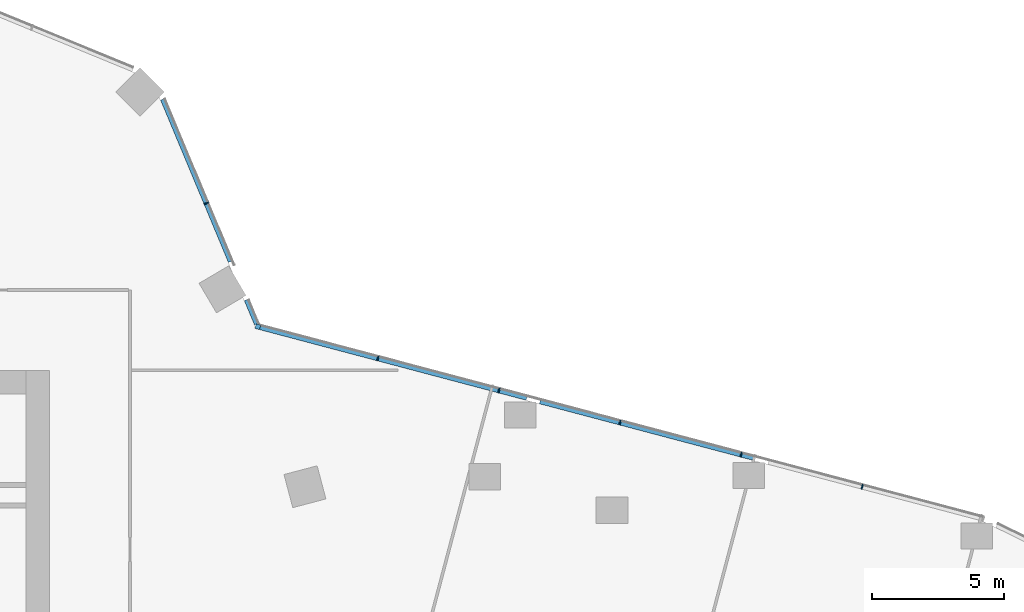
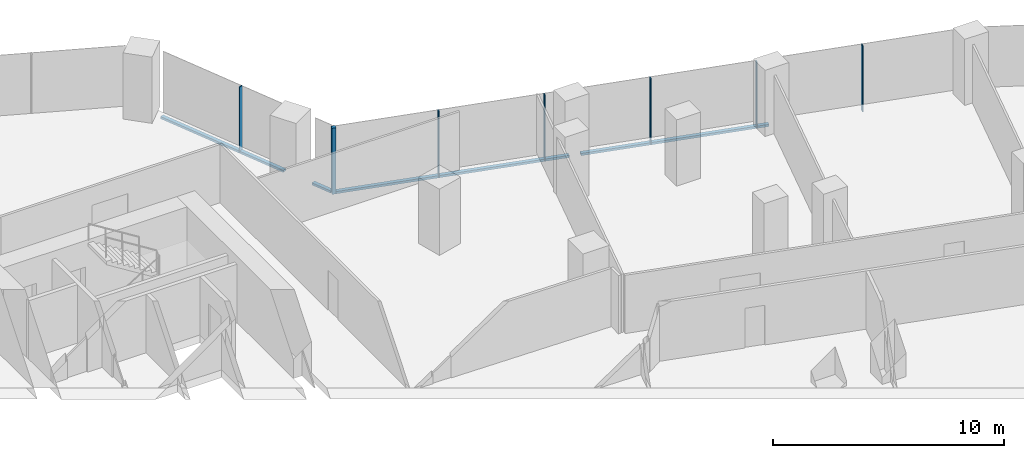
# One storey, part 14 of 34: 11 members, 2 elements without a shape of their own.
"""IFC4 building model written with IfcOpenShell, lengths in metres."""

import ifcopenshell
import ifcopenshell.guid

model = None  # the IFC model being written
_history = None  # IfcOwnerHistory: only IFC2X3 demands one
_inside = {}  # id of a spatial element -> (the spatial element, [elements in it])
_under = {}  # id of a project, library or spatial element -> (it, [spatial elements below it])
_declared = {}  # id of a project -> (the project, [libraries it declares])
_typed = {}  # id of a type object -> (the type object, [elements of that type])
_made_of = {}  # id of a material, layer set ... -> (it, [elements and type objects made of it])


def new_model(schema):
    """Start an empty IFC model of exactly this schema.

    Asked for "IFC4X3", IfcOpenShell would pick the latest addendum, in which some entities
    have other attributes; the version numbers below select the first issue.
    IFC2X3 requires an IfcOwnerHistory on every rooted entity: one is made here for all.
    """
    global model, _history
    if schema == "IFC4X3":
        model = ifcopenshell.file(schema_version=(4, 3, 0, 0))
    else:
        model = ifcopenshell.file(schema=schema)
    _inside.clear()
    _under.clear()
    _declared.clear()
    _typed.clear()
    _made_of.clear()
    _history = None
    if model.schema == "IFC2X3":
        org = make("IfcOrganization", Name="unknown")
        user = make(
            "IfcPersonAndOrganization",
            ThePerson=make("IfcPerson", FamilyName="unknown"),
            TheOrganization=org,
        )
        app = make(
            "IfcApplication",
            ApplicationDeveloper=org,
            Version="unknown",
            ApplicationFullName="unknown",
            ApplicationIdentifier="unknown",
        )
        _history = make(
            "IfcOwnerHistory",
            OwningUser=user,
            OwningApplication=app,
            ChangeAction="ADDED",
            CreationDate=0,
        )
    return model


def make(cls, **values):
    """One entity of the class cls with the attributes given. An attribute that is None is left unset."""
    return model.create_entity(
        cls, **{name: value for name, value in values.items() if value is not None}
    )


def rooted(cls, **values):
    """An entity with a GlobalId (a new one), such as an element, a storey or a relation."""
    return make(cls, GlobalId=ifcopenshell.guid.new(), OwnerHistory=_history, **values)


def si_unit(unit_type, name, prefix=None):
    """IfcSIUnit, for example si_unit("LENGTHUNIT", "METRE", prefix="MILLI")."""
    return make("IfcSIUnit", UnitType=unit_type, Prefix=prefix, Name=name)


def assignment(units):
    """IfcUnitAssignment: the units of a project."""
    return None if units is None else make("IfcUnitAssignment", Units=units)


def point(xyz):
    """IfcCartesianPoint."""
    return None if xyz is None else make("IfcCartesianPoint", Coordinates=xyz)


def direction(xyz):
    """IfcDirection."""
    return None if xyz is None else make("IfcDirection", DirectionRatios=xyz)


def frame(location, z_axis=None, x_axis=None):
    """IfcAxis2Placement3D, a coordinate frame: its origin and axes. An axis left out is left unset."""
    return make(
        "IfcAxis2Placement3D",
        Location=point(location),
        Axis=direction(z_axis),
        RefDirection=direction(x_axis),
    )


def frame_2d(location, x_axis=None):
    """IfcAxis2Placement2D, a coordinate frame in the plane: its origin and x axis."""
    return make(
        "IfcAxis2Placement2D", Location=point(location), RefDirection=direction(x_axis)
    )


def origin():
    """The frame at (0, 0, 0) with its axes left unset."""
    return frame((0.0, 0.0, 0.0))


def origin_2d():
    """The frame at (0, 0) in the plane with its x axis left unset."""
    return frame_2d((0.0, 0.0))


def place(relative_to, where):
    """IfcLocalPlacement: puts the frame where relative to a parent placement (None: the world)."""
    return make(
        "IfcLocalPlacement", PlacementRelTo=relative_to, RelativePlacement=where
    )


def context(
    kind, dimensions, precision=None, world=None, true_north=None, identifier=None
):
    """IfcGeometricRepresentationContext, for example the 3D "Model" context."""
    return make(
        "IfcGeometricRepresentationContext",
        ContextIdentifier=identifier,
        ContextType=kind,
        CoordinateSpaceDimension=dimensions,
        Precision=precision,
        WorldCoordinateSystem=world,
        TrueNorth=true_north,
    )


def subcontext(parent, identifier, kind, view, scale=None):
    """IfcGeometricRepresentationSubContext, for example "Body" below "Model"."""
    return make(
        "IfcGeometricRepresentationSubContext",
        ContextIdentifier=identifier,
        ContextType=kind,
        ParentContext=parent,
        TargetScale=scale,
        TargetView=view,
    )


def project(units=None, contexts=None):
    """IfcProject with its units and contexts."""
    return rooted(
        "IfcProject",
        Name="project",
        RepresentationContexts=contexts,
        UnitsInContext=assignment(units),
    )


def spatial(cls, under=None, at=None, **own):
    """A site, building, storey or space (cls), placed at a placement, below another one or the project."""
    s = rooted(cls, ObjectPlacement=at, **own)
    if under is not None:
        _under.setdefault(under.id(), (under, []))[1].append(s)
    return s


def profile(cls, at=None, kind="AREA", **sizes):
    """A parametric profile (cls). Its sizes go by their IFC names, for example OverallWidth=200.0."""
    return make(cls, ProfileType=kind, Position=at, **sizes)


def rectangle(**sizes):
    """IfcRectangleProfileDef."""
    return profile("IfcRectangleProfileDef", **sizes)


def extrude(swept, where, along, depth):
    """IfcExtrudedAreaSolid: the profile swept, set in the frame where, extruded along a direction by depth."""
    return make(
        "IfcExtrudedAreaSolid",
        SweptArea=swept,
        Position=where,
        ExtrudedDirection=direction(along),
        Depth=depth,
    )


def shape(context_of_items, identifier, shape_type, items):
    """IfcShapeRepresentation: the items that make up one representation, for example the "Body"."""
    return make(
        "IfcShapeRepresentation",
        ContextOfItems=context_of_items,
        RepresentationIdentifier=identifier,
        RepresentationType=shape_type,
        Items=items,
    )


def material(Name=None, Category=None):
    """IfcMaterial."""
    return make("IfcMaterial", Name=Name, Category=Category)


def material_profile(
    of_material, cross_section, Name=None, Category=None, Priority=None
):
    """IfcMaterialProfile: a cross section and its material."""
    return make(
        "IfcMaterialProfile",
        Name=Name,
        Material=of_material,
        Profile=cross_section,
        Priority=Priority,
        Category=Category,
    )


def profile_set(profiles, Name=None, composite=None):
    """IfcMaterialProfileSet."""
    return make(
        "IfcMaterialProfileSet",
        Name=Name,
        MaterialProfiles=profiles,
        CompositeProfile=composite,
    )


def made_of(thing, what):
    """Note that an element or type object is made of a material, layer set ...; save() writes the relation."""
    if what is not None:
        _made_of.setdefault(what.id(), (what, []))[1].append(thing)
    return thing


def type_object(cls, material=None, **own):
    """A type object (cls), such as IfcWallType, which elements share."""
    return made_of(rooted(cls, **own), material)


def element(
    cls,
    number,
    at=None,
    inside=None,
    cuts=None,
    type_object=None,
    material=None,
    context=None,
    identifier="Body",
    shape_type=None,
    held_by="IfcProductDefinitionShape",
    body=None,
    shapes=None,
    **own,
):
    """One element of the class cls, such as IfcWall. Its Tag is "e" and its number.

    at: its placement. inside: the storey or other place that contains it. cuts: it is an
    opening in that element (IfcRelVoidsElement). A single representation is given by context,
    identifier, shape_type and body (its items); several are given by shapes. held_by: the class
    of the entity that holds the representations. save() writes the other relations.
    """
    e = rooted(cls, Tag="e%d" % number, ObjectPlacement=at, **own)
    if body is not None:
        shapes = [shape(context, identifier, shape_type, body)]
    if shapes is not None:
        e.Representation = make(held_by, Representations=shapes)
    if inside is not None:
        _inside.setdefault(inside.id(), (inside, []))[1].append(e)
    if cuts is not None:
        rooted(
            "IfcRelVoidsElement", RelatingBuildingElement=cuts, RelatedOpeningElement=e
        )
    if type_object is not None:
        _typed.setdefault(type_object.id(), (type_object, []))[1].append(e)
    return made_of(e, material)


def aggregate(whole, parts):
    """IfcRelAggregates: a whole, such as a stair, and the parts it consists of."""
    return rooted("IfcRelAggregates", RelatingObject=whole, RelatedObjects=parts)


def save(model, path):
    """Write the relations noted so far, then the file.

    IfcRelAggregates (storeys below a building ...), IfcRelContainedInSpatialStructure (elements
    in a storey), IfcRelDefinesByType, IfcRelAssociatesMaterial and IfcRelDeclares: one each for
    every whole, place, type object, material and project.
    """
    for whole, parts in _under.values():
        aggregate(whole, parts)
    for where, things in _inside.values():
        rooted(
            "IfcRelContainedInSpatialStructure",
            RelatedElements=things,
            RelatingStructure=where,
        )
    for kind, things in _typed.values():
        rooted("IfcRelDefinesByType", RelatedObjects=things, RelatingType=kind)
    for what, things in _made_of.values():
        rooted("IfcRelAssociatesMaterial", RelatedObjects=things, RelatingMaterial=what)
    for by, libraries in _declared.values():
        rooted("IfcRelDeclares", RelatingContext=by, RelatedDefinitions=libraries)
    model.write(path)


model = new_model("IFC4")

# Units and contexts
model_context = context("Model", 3, precision=1e-05, world=origin(), true_north=direction((0.0, 1.0)))
body_context = subcontext(model_context, "Body", "Model", "MODEL_VIEW")
ifc_project = project(units=[si_unit("LENGTHUNIT", "METRE"), si_unit("AREAUNIT", "SQUARE_METRE"), si_unit("VOLUMEUNIT", "CUBIC_METRE"), si_unit("PLANEANGLEUNIT", "RADIAN"), si_unit("MASSUNIT", "GRAM", prefix="KILO")], contexts=[model_context])

# Site, building, storey
site_placement = place(None, origin())
site = spatial("IfcSite", under=ifc_project, at=site_placement, CompositionType="ELEMENT")
building_placement = place(site_placement, origin())
building = spatial("IfcBuilding", under=site, at=building_placement, Name="Orlundy Tower", CompositionType="ELEMENT")
storey_placement = place(building_placement, frame((0.0, 0.0, 109.199951171875)))
storey = spatial("IfcBuildingStorey", under=building, at=storey_placement, Name="L27", CompositionType="ELEMENT", Elevation=109.199951171875)

# Curtain wall, member
ifc_material_1 = material(Name="Aluminium bronze anodised", Category="aluminium")
curtain_wall_type = type_object("IfcCurtainWallType", Name="CW1 wall", PredefinedType="NOTDEFINED", material=ifc_material_1)
curtain_wall_1_placement = place(storey_placement, origin())
curtain_wall_1 = element("IfcCurtainWall", 1, at=curtain_wall_1_placement, inside=storey, type_object=curtain_wall_type, Name="CW1 run 018", PredefinedType="NOTDEFINED")
ifc_material_2 = material(Name="Aluminium bronze anodised", Category="aluminium")
ifc_material_profile_1 = material_profile(ifc_material_2, rectangle(XDim=0.179931640625, YDim=0.179931640625, at=origin_2d()), Name="CW1 corner post 180x180")
ifc_profile_set_1 = profile_set([ifc_material_profile_1], Name="Aluminium bronze anodised")
member_type_1 = type_object("IfcMemberType", Name="CW1 corner post 180x180", PredefinedType="MULLION", material=ifc_profile_set_1)
member_1_placement = place(storey_placement, frame((26.905029296875, 13.65771484375, -0.39990234375), z_axis=(0.0, 0.0, 1.0), x_axis=(0.256019713949, 0.966671560598, 0.0)))
member_1 = element("IfcMember", 2, at=member_1_placement, type_object=member_type_1, Name="CW1 mullion 51", PredefinedType="MULLION", context=body_context, shape_type="SweptSolid", body=[
    extrude(rectangle(XDim=0.179931640625, YDim=0.179931640625, at=origin_2d()), origin(), (0.0, 0.0, 1.0), 3.5),
])

curtain_wall_2_placement = place(storey_placement, origin())
curtain_wall_2 = element("IfcCurtainWall", 3, at=curtain_wall_2_placement, inside=storey, type_object=curtain_wall_type, Name="CW1 run 017", PredefinedType="NOTDEFINED")
ifc_material_3 = material(Name="Aluminium bronze anodised", Category="aluminium")
ifc_material_profile_2 = material_profile(ifc_material_3, rectangle(XDim=0.179931640625, YDim=0.050048828125, at=origin_2d()), Name="CW1 mullion 50x180")
ifc_profile_set_2 = profile_set([ifc_material_profile_2], Name="Aluminium bronze anodised")
member_type_2 = type_object("IfcMemberType", Name="CW1 mullion 50x180", PredefinedType="MULLION", material=ifc_profile_set_2)
member_2_placement = place(storey_placement, frame((24.949462890625, 18.339599609375, -0.39990234375), z_axis=(0.0, 0.0, 1.0), x_axis=(0.922758688949, 0.385378258299, 0.0)))
member_2 = element("IfcMember", 4, at=member_2_placement, type_object=member_type_2, Name="CW1 mullion 50", PredefinedType="MULLION", context=body_context, shape_type="SweptSolid", body=[
    extrude(rectangle(XDim=0.179931640625, YDim=0.050048828125, at=origin_2d()), origin(), (0.0, 0.0, 1.0), 3.5),
])

# Member
member_3_placement = place(storey_placement, frame((31.458984375, 12.451416015625, -0.39990234375), z_axis=(0.0, 0.0, 1.0), x_axis=(0.256019713949, 0.966671560598, 0.0)))
member_3 = element("IfcMember", 5, at=member_3_placement, type_object=member_type_2, Name="CW1 mullion 52", PredefinedType="MULLION", context=body_context, shape_type="SweptSolid", body=[
    extrude(rectangle(XDim=0.179931640625, YDim=0.050048828125, at=origin_2d()), origin(), (0.0, 0.0, 1.0), 3.5),
])

member_4_placement = place(storey_placement, frame((36.05615234375, 11.23388671875, -0.39990234375), z_axis=(0.0, 0.0, 1.0), x_axis=(0.256019713949, 0.966671560598, 0.0)))
member_4 = element("IfcMember", 6, at=member_4_placement, type_object=member_type_2, Name="CW1 mullion 53", PredefinedType="MULLION", context=body_context, shape_type="SweptSolid", body=[
    extrude(rectangle(XDim=0.179931640625, YDim=0.050048828125, at=origin_2d()), origin(), (0.0, 0.0, 1.0), 3.5),
])

member_5_placement = place(storey_placement, frame((40.653076171875, 10.0166015625, -0.39990234375), z_axis=(0.0, 0.0, 1.0), x_axis=(0.256019713949, 0.966671560598, 0.0)))
member_5 = element("IfcMember", 7, at=member_5_placement, type_object=member_type_2, Name="CW1 mullion 54", PredefinedType="MULLION", context=body_context, shape_type="SweptSolid", body=[
    extrude(rectangle(XDim=0.179931640625, YDim=0.050048828125, at=origin_2d()), origin(), (0.0, 0.0, 1.0), 3.5),
])

member_6_placement = place(storey_placement, frame((45.25, 8.799072265625, -0.39990234375), z_axis=(0.0, 0.0, 1.0), x_axis=(0.256019713949, 0.966671560598, 0.0)))
member_6 = element("IfcMember", 8, at=member_6_placement, type_object=member_type_2, Name="CW1 mullion 55", PredefinedType="MULLION", context=body_context, shape_type="SweptSolid", body=[
    extrude(rectangle(XDim=0.179931640625, YDim=0.050048828125, at=origin_2d()), origin(), (0.0, 0.0, 1.0), 3.5),
])

member_7_placement = place(storey_placement, frame((49.846923828125, 7.58154296875, -0.39990234375), z_axis=(0.0, 0.0, 1.0), x_axis=(0.256019713949, 0.966671560598, 0.0)))
member_7 = element("IfcMember", 9, at=member_7_placement, type_object=member_type_2, Name="CW1 mullion 56", PredefinedType="MULLION", context=body_context, shape_type="SweptSolid", body=[
    extrude(rectangle(XDim=0.179931640625, YDim=0.050048828125, at=origin_2d()), origin(), (0.0, 0.0, 1.0), 3.5),
])

ifc_material_4 = material(Name="Aluminium bronze anodised", Category="aluminium")
ifc_material_profile_3 = material_profile(ifc_material_4, rectangle(XDim=0.179931640625, YDim=0.1201171875, at=origin_2d()), Name="CW1 transom 180x120")
ifc_profile_set_3 = profile_set([ifc_material_profile_3], Name="Aluminium bronze anodised")
member_type_3 = type_object("IfcMemberType", Name="CW1 transom 180x120", PredefinedType="USERDEFINED", material=ifc_profile_set_3)
member_8_placement = place(storey_placement, frame((23.29638671875, 22.2978515625, -0.33984375), z_axis=(0.385382794514, -0.922756794444, 0.0), x_axis=(0.922756794444, 0.385382794514, 0.0)))
member_8 = element("IfcMember", 10, at=member_8_placement, type_object=member_type_3, Name="CW1 transom", ObjectType="TRANSOM", PredefinedType="USERDEFINED", context=body_context, shape_type="SweptSolid", body=[
    extrude(rectangle(XDim=0.179931640625, YDim=0.1201171875, at=origin_2d()), origin(), (0.0, 0.0, 1.0), 6.685302734375),
])

member_9_placement = place(storey_placement, frame((26.47607421875, 14.6845703125, -0.33984375), z_axis=(0.385413000018, -0.92274417875, 0.0), x_axis=(0.92274417875, 0.385413000018, 0.0)))
member_9 = element("IfcMember", 11, at=member_9_placement, type_object=member_type_3, Name="CW1 transom", ObjectType="TRANSOM", PredefinedType="USERDEFINED", context=body_context, shape_type="SweptSolid", body=[
    extrude(rectangle(XDim=0.179931640625, YDim=0.1201171875, at=origin_2d()), origin(), (0.0, 0.0, 1.0), 0.99951171875),
])

aggregate(curtain_wall_2, [member_2, member_8, member_9])

member_10_placement = place(storey_placement, frame((26.991943359375, 13.634521484375, -0.33984375), z_axis=(0.966674502296, -0.256008606518, 0.0), x_axis=(0.256008606518, 0.966674502296, 0.0)))
member_10 = element("IfcMember", 12, at=member_10_placement, type_object=member_type_3, Name="CW1 transom", ObjectType="TRANSOM", PredefinedType="USERDEFINED", context=body_context, shape_type="SweptSolid", body=[
    extrude(rectangle(XDim=0.179931640625, YDim=0.1201171875, at=origin_2d()), origin(), (0.0, 0.0, 1.0), 10.46630859375),
])

member_11_placement = place(storey_placement, frame((37.616943359375, 10.820556640625, -0.33984375), z_axis=(0.966670489841, -0.256023756848, 0.0), x_axis=(0.256023756848, 0.966670489841, 0.0)))
member_11 = element("IfcMember", 13, at=member_11_placement, type_object=member_type_3, Name="CW1 transom", ObjectType="TRANSOM", PredefinedType="USERDEFINED", context=body_context, shape_type="SweptSolid", body=[
    extrude(rectangle(XDim=0.179931640625, YDim=0.1201171875, at=origin_2d()), origin(), (0.0, 0.0, 1.0), 8.439208984375),
])

aggregate(curtain_wall_1, [member_1, member_3, member_4, member_5, member_6, member_7, member_10, member_11])

save(model, "model.ifc")
